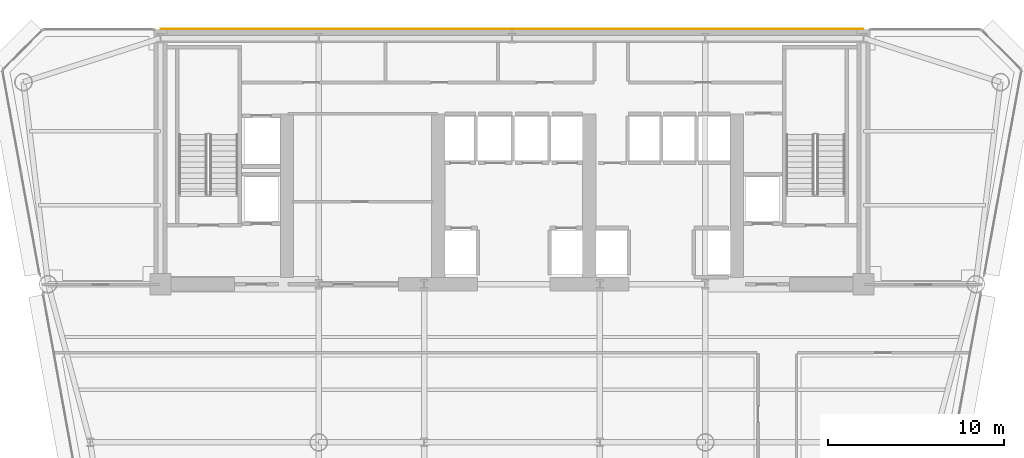
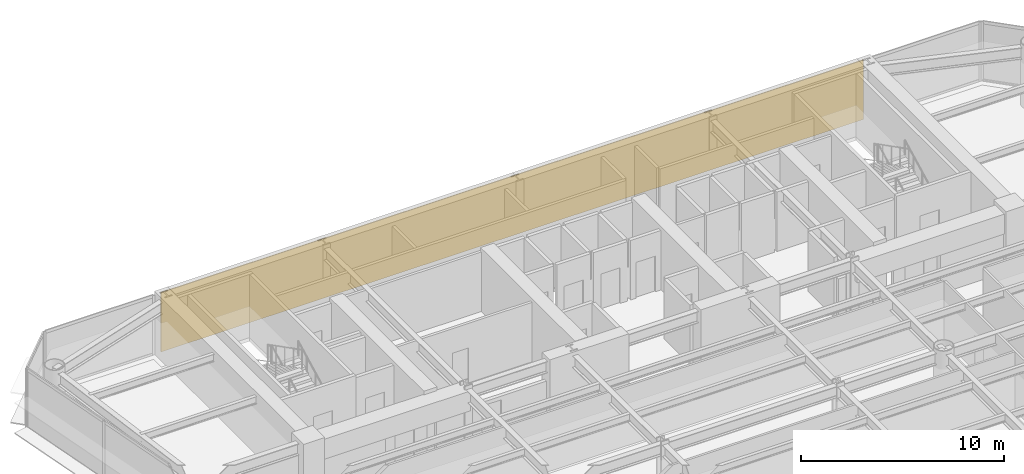
# One storey, part 13 of 14: 1 covering.
"""IFC4 building model written with IfcOpenShell, lengths in metres."""

from ifc_helpers import new_model, si_unit, direction, frame, origin, place, context, subcontext, project, spatial, polyline, outline, extrude, material, layer, layer_set, type_object, element, save


model = new_model("IFC4")

# Units and contexts
model_context = context("Model", 3, precision=1e-05, world=origin(), true_north=direction((0.0, 1.0)))
body_context = subcontext(model_context, "Body", "Model", "MODEL_VIEW")
ifc_project = project(units=[si_unit("LENGTHUNIT", "METRE"), si_unit("AREAUNIT", "SQUARE_METRE"), si_unit("VOLUMEUNIT", "CUBIC_METRE"), si_unit("PLANEANGLEUNIT", "RADIAN"), si_unit("MASSUNIT", "GRAM", prefix="KILO")], contexts=[model_context])

# Site, building, storey
site_placement = place(None, origin())
site = spatial("IfcSite", under=ifc_project, at=site_placement, CompositionType="ELEMENT")
building_placement = place(site_placement, origin())
building = spatial("IfcBuilding", under=site, at=building_placement, Name="Vaeldorn Concourse Tower", CompositionType="ELEMENT")
storey_placement = place(building_placement, frame((0.0, 0.0, 133.800048828125)))
storey = spatial("IfcBuildingStorey", under=building, at=storey_placement, Name="L34", CompositionType="ELEMENT", Elevation=133.800048828125)

# Covering
ifc_material = material(Name="Anodised Bronze Aluminium", Category="aluminium")
ifc_layer = layer(ifc_material, 0.050048828125)
ifc_layer_set = layer_set([ifc_layer], Name="Anodised Bronze Aluminium")
covering_type = type_object("IfcCoveringType", Name="COV-CLAD-BRONZE", PredefinedType="CLADDING", material=ifc_layer_set)
covering_placement = place(storey_placement, origin())
element("IfcCovering", 1, at=covering_placement, inside=storey, type_object=covering_type, Name="Rear Core Bronze Spandrel Cladding L34", PredefinedType="CLADDING", context=body_context, shape_type="SweptSolid", body=[
    extrude(outline(polyline([(14.0, 51.0), (54.0, 51.0), (54.0, 51.050048828125), (14.0, 51.050048828125), (14.0, 51.0)])), origin(), (0.0, 0.0, 1.0), 3.579833984375),
])

save(model, "model.ifc")
